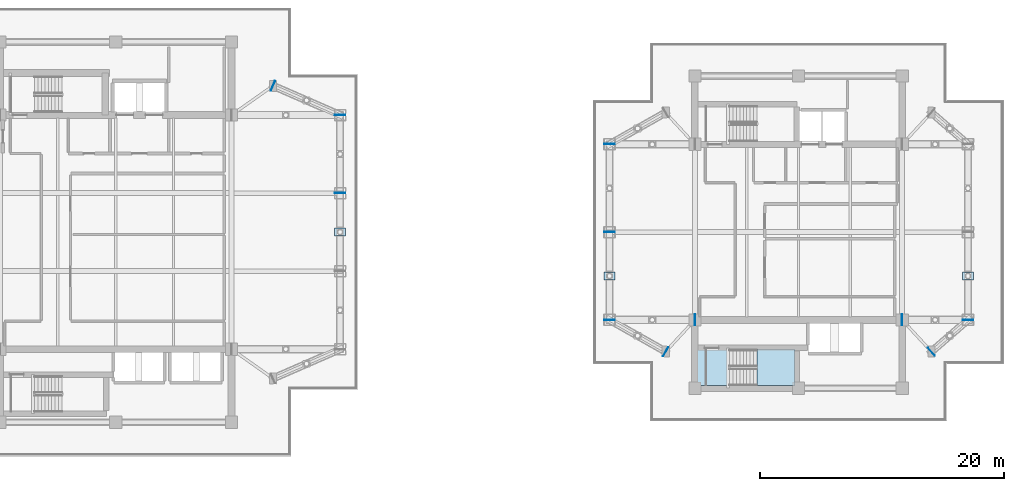
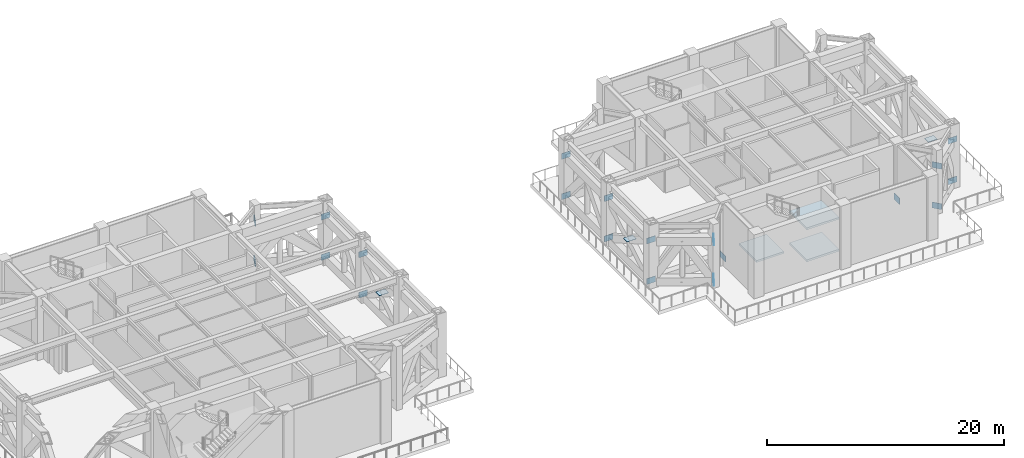
# One storey, part 7 of 18: 23 plates, 3 slabs, 1 element without a shape of its own.
"""IFC4 building model written with IfcOpenShell, lengths in metres."""

from ifc_helpers import new_model, si_unit, direction, frame, origin, origin_2d, place, context, subcontext, project, spatial, polyline, rectangle, outline, extrude, material, layer, layer_set, type_object, element, aggregate, save


model = new_model("IFC4")

# Units and contexts
model_context = context("Model", 3, precision=1e-05, world=origin(), true_north=direction((0.0, 1.0)))
body_context = subcontext(model_context, "Body", "Model", "MODEL_VIEW")
ifc_project = project(units=[si_unit("LENGTHUNIT", "METRE"), si_unit("AREAUNIT", "SQUARE_METRE"), si_unit("VOLUMEUNIT", "CUBIC_METRE"), si_unit("PLANEANGLEUNIT", "RADIAN"), si_unit("MASSUNIT", "GRAM", prefix="KILO")], contexts=[model_context])

# Site, building, storey
site_placement = place(None, origin())
site = spatial("IfcSite", under=ifc_project, at=site_placement, CompositionType="ELEMENT")
building_placement = place(site_placement, origin())
building = spatial("IfcBuilding", under=site, at=building_placement, Name="Mirazonda Arch Towers", CompositionType="ELEMENT")
storey_placement = place(building_placement, frame((0.0, 0.0, 147.800048828125)))
storey = spatial("IfcBuildingStorey", under=building, at=storey_placement, Name="L42", CompositionType="ELEMENT", Elevation=147.800048828125)

# Plates
ifc_material_1 = material(Name="Steel ASTM A572 Grade 50", Category="steel")
ifc_layer_1 = layer(ifc_material_1, 0.035888671875, Name="PLATE-CAP-850x600x36")
ifc_layer_set_1 = layer_set([ifc_layer_1], Name="Steel ASTM A572 Grade 50")
plate_type_1 = type_object("IfcPlateType", Name="PLATE-CAP-850x600x36", PredefinedType="USERDEFINED", material=ifc_layer_set_1)
for number, where, z_axis, x_axis, name in (
    (1, (38.89990234375, 31.2080078125, 0.25), (0.0, 0.0, 1.0), (0.0, 1.0, 0.0), "Steel end closure plate NP-BLT-L42-T1-BC05B"),
    (2, (38.89990234375, 31.2080078125, 4.419921875), (0.0, 0.0, 1.0), (0.0, 1.0, 0.0), "Steel end closure plate NP-BLT-L42-T1-TC05B"),
    (3, (38.89990234375, 37.60791015625, 0.25), (0.0, 0.0, 1.0), (0.0, 1.0, 0.0), "Steel end closure plate NP-BLT-L42-T1-BC06B"),
    (4, (38.89990234375, 37.60791015625, 4.419921875), (0.0, 0.0, 1.0), (0.0, 1.0, 0.0), "Steel end closure plate NP-BLT-L42-T1-TC06B"),
    (5, (33.392578125, 40.003173828125, 0.25), (0.0, 0.0, 1.0), (-0.916572226203, 0.399869171297, 0.0), "Steel end closure plate NP-BLT-L42-T1-BC10A"),
    (6, (33.392578125, 40.003173828125, 4.419921875), (0.0, 0.0, 1.0), (-0.916572226203, 0.399869171297, 0.0), "Steel end closure plate NP-BLT-L42-T1-TC10A"),
    (7, (61.0, 20.7919921875, 0.25), (0.0, 0.0, 1.0), (0.0, -1.0, 0.0), "Steel end closure plate NP-BLT-L42-T2-BC01A"),
    (8, (61.0, 28.008056640625, 0.25), (0.0, 0.0, 1.0), (0.0, 1.0, 0.0), "Steel end closure plate NP-BLT-L42-T2-BC01B"),
    (9, (61.0, 20.7919921875, 4.419921875), (0.0, 0.0, 1.0), (0.0, -1.0, 0.0), "Steel end closure plate NP-BLT-L42-T2-TC01A"),
    (10, (61.0, 28.008056640625, 4.419921875), (0.0, 0.0, 1.0), (0.0, 1.0, 0.0), "Steel end closure plate NP-BLT-L42-T2-TC01B"),
    (11, (61.0, 35.2080078125, 0.25), (0.0, 0.0, 1.0), (0.0, 1.0, 0.0), "Steel end closure plate NP-BLT-L42-T2-BC02B"),
    (12, (61.0, 35.2080078125, 4.419921875), (0.0, 0.0, 1.0), (0.0, 1.0, 0.0), "Steel end closure plate NP-BLT-L42-T2-TC02B"),
    (13, (90.39990234375, 20.7919921875, 0.25), (0.0, 0.0, 1.0), (0.0, -1.0, 0.0), "Steel end closure plate NP-BLT-L42-T2-BC03A"),
    (14, (90.39990234375, 20.7919921875, 4.419921875), (0.0, 0.0, 1.0), (0.0, -1.0, 0.0), "Steel end closure plate NP-BLT-L42-T2-TC03A"),
    (15, (65.60693359375, 18.196044921875, 0.25), (0.0, 0.0, 1.0), (0.87052753116, -0.492119718658, 0.0), "Steel end closure plate NP-BLT-L42-T2-BC05B"),
    (16, (65.60693359375, 18.196044921875, 4.419921875), (0.0, 0.0, 1.0), (0.87052753116, -0.492119718658, 0.0), "Steel end closure plate NP-BLT-L42-T2-TC05B"),
    (17, (87.39404296875, 18.19482421875, 0.25), (0.0, 0.0, 1.0), (-0.755739183826, -0.654872725061, 0.0), "Steel end closure plate NP-BLT-L42-T2-BC06A"),
    (18, (87.39404296875, 18.19482421875, 4.419921875), (0.0, 0.0, 1.0), (-0.755739183826, -0.654872725061, 0.0), "Steel end closure plate NP-BLT-L42-T2-TC06A"),
):
    element("IfcPlate", number, at=place(storey_placement, frame(where, z_axis=z_axis, x_axis=x_axis)), inside=storey, type_object=plate_type_1, Name=name, ObjectType="CAP PLATE", PredefinedType="USERDEFINED", context=body_context, shape_type="SweptSolid", body=[
        extrude(rectangle(XDim=0.0400390625, YDim=0.85009765625, at=origin_2d()), origin(), (0.0, 0.0, 1.0), 0.60009765625),
    ])
ifc_layer_2 = layer(ifc_material_1, 0.031982421875, Name="PLATE-GUSSET-900x650x32")
ifc_layer_set_2 = layer_set([ifc_layer_2], Name="Steel ASTM A572 Grade 50")
plate_type_2 = type_object("IfcPlateType", Name="PLATE-GUSSET-900x650x32", PredefinedType="USERDEFINED", material=ifc_layer_set_2)
for number, where, z_axis, x_axis, name in (
    (19, (38.89990234375, 28.0, 2.623046875), (0.0, 0.0, 1.0), (1.0, 0.0, 0.0), "Steel end closure plate NP-BLT-L42-T1-XND05"),
    (20, (61.0, 24.39990234375, 2.623046875), (0.0, 0.0, 1.0), (1.0, 0.0, 0.0), "Steel end closure plate NP-BLT-L42-T2-XND01"),
    (21, (90.39990234375, 24.39990234375, 2.623046875), (0.0, 0.0, 1.0), (1.0, 0.0, 0.0), "Steel end closure plate NP-BLT-L42-T2-XND03"),
):
    element("IfcPlate", number, at=place(storey_placement, frame(where, z_axis=z_axis, x_axis=x_axis)), inside=storey, type_object=plate_type_2, Name=name, ObjectType="GUSSET_PLATE", PredefinedType="USERDEFINED", context=body_context, shape_type="SweptSolid", body=[
        extrude(rectangle(XDim=0.89990234375, YDim=0.64990234375, at=origin_2d()), origin(), (0.0, 0.0, 1.0), 0.0400390625),
    ])
for number, where, z_axis, x_axis, name in (
    (22, (68.005126953125, 20.800048828125, 0.218994140625), (0.0, 0.0, 1.0), (1.0, 0.0, 0.0), "Steel end closure plate NP-OUT-L42-T2-DG01B0"),
    (23, (84.99560546875, 20.800048828125, 0.21826171875), (0.0, 0.0, 1.0), (-1.0, 0.0, 0.0), "Steel end closure plate NP-OUT-L42-T2-DG02A0"),
):
    element("IfcPlate", number, at=place(storey_placement, frame(where, z_axis=z_axis, x_axis=x_axis)), inside=storey, type_object=plate_type_2, Name=name, ObjectType="GUSSET_PLATE", PredefinedType="USERDEFINED", context=body_context, shape_type="SweptSolid", body=[
        extrude(rectangle(XDim=0.0400390625, YDim=0.89990234375, at=origin_2d()), origin(), (0.0, 0.0, 1.0), 0.64990234375),
    ])

# Stair, slabs
ifc_material_2 = material(Name="Concrete C40/50", Category="concrete")
stair_type = type_object("IfcStairType", Name="STAIR-CORE-1400", PredefinedType="HALF_TURN_STAIR", material=ifc_material_2)
stair_placement = place(storey_placement, origin())
stair = element("IfcStair", 24, at=stair_placement, inside=storey, type_object=stair_type, Name="L42 Protected Exit Stair ST-T2S", PredefinedType="HALF_TURN_STAIR")
ifc_layer_3 = layer(ifc_material_2, 0.18994140625, Name="SLAB-LANDING-190")
ifc_layer_set_3 = layer_set([ifc_layer_3], Name="Concrete C40/50")
slab_type = type_object("IfcSlabType", Name="SLAB-LANDING-190", PredefinedType="LANDING", material=ifc_layer_set_3)
slab_1_placement = place(storey_placement, frame((0.0, 0.0, 1.449951171875)))
slab_1 = element("IfcSlab", 25, at=slab_1_placement, type_object=slab_type, Name="ST-T2S landing 1", PredefinedType="LANDING", context=body_context, shape_type="SweptSolid", body=[
    extrude(outline(polyline([(73.090087890625, 15.419921875), (76.22998046875, 15.419921875), (76.22998046875, 18.360107421875), (73.090087890625, 18.360107421875), (73.090087890625, 15.419921875)])), origin(), (0.0, 0.0, 1.0), 0.199951171875),
])
slab_2_placement = place(storey_placement, frame((0.0, 0.0, 3.099853515625)))
slab_2 = element("IfcSlab", 26, at=slab_2_placement, type_object=slab_type, Name="ST-T2S landing 2", PredefinedType="LANDING", context=body_context, shape_type="SweptSolid", body=[
    extrude(outline(polyline([(68.179931640625, 15.419921875), (70.85009765625, 15.419921875), (70.85009765625, 18.360107421875), (68.179931640625, 18.360107421875), (68.179931640625, 15.419921875)])), origin(), (0.0, 0.0, 1.0), 0.2001953125),
])
slab_3_placement = place(storey_placement, frame((0.0, 0.0, 4.75)))
slab_3 = element("IfcSlab", 27, at=slab_3_placement, type_object=slab_type, Name="ST-T2S landing 3", PredefinedType="LANDING", context=body_context, shape_type="SweptSolid", body=[
    extrude(outline(polyline([(73.090087890625, 15.419921875), (76.22998046875, 15.419921875), (76.22998046875, 18.360107421875), (73.090087890625, 18.360107421875), (73.090087890625, 15.419921875)])), origin(), (0.0, 0.0, 1.0), 0.199951171875),
])
aggregate(stair, [slab_1, slab_2, slab_3])

save(model, "model.ifc")
